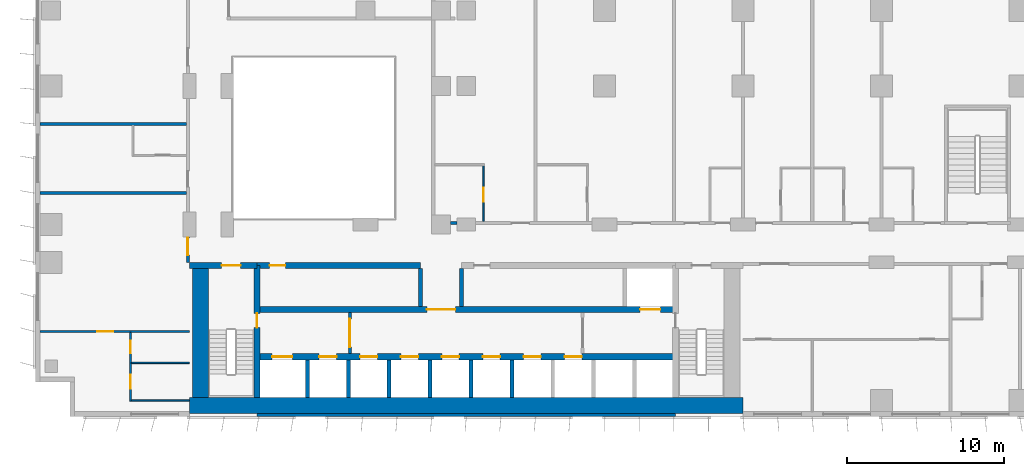
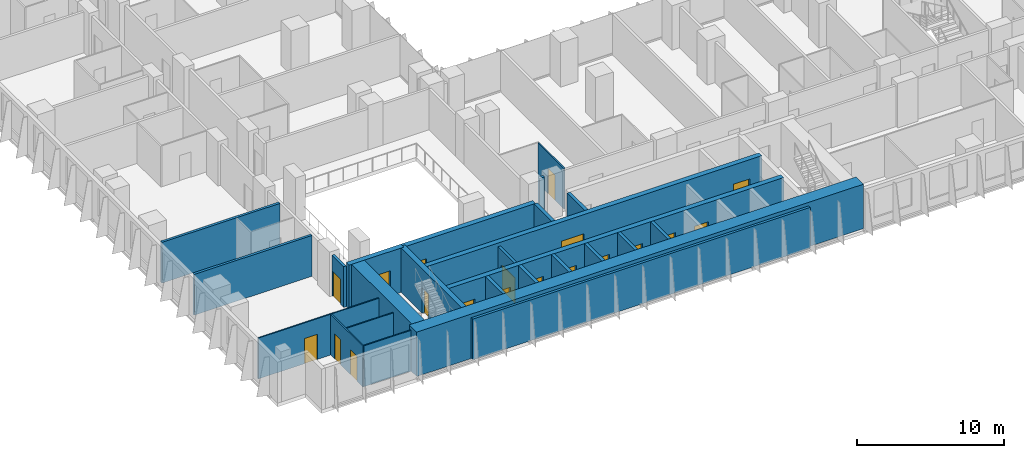
# One storey, part 12 of 24: 26 walls, 19 doors, 19 openings.
"""IFC4 building model written with IfcOpenShell, lengths in metres."""

from ifc_helpers import new_model, si_unit, direction, frame, frame_2d, origin, place, context, subcontext, project, spatial, rectangle, extrude, material, layer, layer_set, type_object, element, fill, save


model = new_model("IFC4")

# Units and contexts
model_context = context("Model", 3, precision=1e-05, world=origin(), true_north=direction((0.0, 1.0)))
body_context = subcontext(model_context, "Body", "Model", "MODEL_VIEW")
ifc_project = project(units=[si_unit("LENGTHUNIT", "METRE"), si_unit("AREAUNIT", "SQUARE_METRE"), si_unit("VOLUMEUNIT", "CUBIC_METRE"), si_unit("PLANEANGLEUNIT", "RADIAN"), si_unit("MASSUNIT", "GRAM", prefix="KILO")], contexts=[model_context])

# Site, building, storey
site_placement = place(None, origin())
site = spatial("IfcSite", under=ifc_project, at=site_placement, CompositionType="ELEMENT")
building_placement = place(site_placement, origin())
building = spatial("IfcBuilding", under=site, at=building_placement, Name="Kemantara Hotel Tower", CompositionType="ELEMENT")
storey_placement = place(building_placement, frame((0.0, 0.0, 48.800048828125)))
storey = spatial("IfcBuildingStorey", under=building, at=storey_placement, Name="L10", CompositionType="ELEMENT", Elevation=48.800048828125)

# Walls
ifc_material_1 = material(Name="Bronze anodised aluminium cladding on insulated steel stud wall", Category="steel")
ifc_layer_1 = layer(ifc_material_1, 0.199951171875)
ifc_layer_set_1 = layer_set([ifc_layer_1], Name="Bronze anodised aluminium cladding on insulated steel stud wall")
wall_type_1 = type_object("IfcWallType", Name="BRONZE METAL-CLAD EXTERNAL WALL 200", PredefinedType="STANDARD", material=ifc_layer_set_1)
wall_1_placement = place(storey_placement, frame((14.10009765625, 0.10009765625, 0.0), z_axis=(0.0, 0.0, 1.0), x_axis=(1.0, 0.0, 0.0)))
element("IfcWall", 1, at=wall_1_placement, inside=storey, type_object=wall_type_1, Name="EXTERNAL WALL L10 T1-R01-2", PredefinedType="STANDARD", context=body_context, shape_type="SweptSolid", body=[
    extrude(rectangle(XDim=26.599853515625, YDim=0.199951171875, at=frame_2d((13.2998046875, 0.0))), origin(), (0.0, 0.0, 1.0), 3.39990234375),
])
ifc_material_2 = material(Name="Concrete fc 70 MPa", Category="concrete")
ifc_layer_2 = layer(ifc_material_2, 1.0)
ifc_layer_set_2 = layer_set([ifc_layer_2], Name="Concrete fc 70 MPa")
wall_type_2 = type_object("IfcWallType", Name="CORE WALL 1000 FC70", PredefinedType="SHEAR", material=ifc_layer_set_2)
wall_2_placement = place(storey_placement, frame((9.800048828125, 0.699951171875, 0.0), z_axis=(0.0, 0.0, 1.0), x_axis=(1.0, 0.0, 0.0)))
element("IfcWall", 2, at=wall_2_placement, inside=storey, type_object=wall_type_2, Name="CORE WALL CW-S", PredefinedType="SHEAR", context=body_context, shape_type="SweptSolid", body=[
    extrude(rectangle(XDim=35.199951171875, YDim=1.0, at=frame_2d((17.60009765625, 0.0))), origin(), (0.0, 0.0, 1.0), 3.699951171875),
])
wall_3_placement = place(storey_placement, frame((10.5, 1.199951171875, 0.0), z_axis=(0.0, 0.0, 1.0), x_axis=(0.0, 1.0, 0.0)))
element("IfcWall", 3, at=wall_3_placement, inside=storey, type_object=wall_type_2, Name="CORE WALL CW-W", PredefinedType="SHEAR", context=body_context, shape_type="SweptSolid", body=[
    extrude(rectangle(XDim=8.60009765625, YDim=1.0, at=frame_2d((4.300048828125, 0.0))), origin(), (0.0, 0.0, 1.0), 3.699951171875),
])
ifc_layer_3 = layer(ifc_material_2, 0.25)
ifc_layer_set_3 = layer_set([ifc_layer_3], Name="Concrete fc 70 MPa")
wall_type_3 = type_object("IfcWallType", Name="CORE WALL 250 FC70", PredefinedType="SHEAR", material=ifc_layer_set_3)
for number, where, z_axis, x_axis, name in (
    (4, (17.300048828125, 1.199951171875, 0.0), (0.0, 0.0, 1.0), (0.0, 1.0, 0.0), "CORE WALL CW-DS17.3"),
    (5, (19.89990234375, 1.199951171875, 0.0), (0.0, 0.0, 1.0), (0.0, 1.0, 0.0), "CORE WALL CW-DS19.9"),
    (6, (22.5, 1.199951171875, 0.0), (0.0, 0.0, 1.0), (0.0, 1.0, 0.0), "CORE WALL CW-DS22.5"),
    (7, (25.10009765625, 1.199951171875, 0.0), (0.0, 0.0, 1.0), (0.0, 1.0, 0.0), "CORE WALL CW-DS25.1"),
    (8, (27.699951171875, 1.199951171875, 0.0), (0.0, 0.0, 1.0), (0.0, 1.0, 0.0), "CORE WALL CW-DS27.7"),
    (9, (30.300048828125, 1.199951171875, 0.0), (0.0, 0.0, 1.0), (0.0, 1.0, 0.0), "CORE WALL CW-DS30.3"),
):
    element("IfcWall", number, at=place(storey_placement, frame(where, z_axis=z_axis, x_axis=x_axis)), inside=storey, type_object=wall_type_3, Name=name, PredefinedType="SHEAR", context=body_context, shape_type="SweptSolid", body=[
        extrude(rectangle(XDim=2.400146484375, YDim=0.25, at=frame_2d((1.2001953125, 0.0))), origin(), (0.0, 0.0, 1.0), 3.699951171875),
    ])
for number, where, z_axis, x_axis, name in (
    (10, (24.5, 7.0, 0.0), (0.0, 0.0, 1.0), (0.0, 1.0, 0.0), "CORE WALL CW-DN24.5"),
    (11, (27.10009765625, 7.0, 0.0), (0.0, 0.0, 1.0), (0.0, 1.0, 0.0), "CORE WALL CW-DN27.1"),
):
    element("IfcWall", number, at=place(storey_placement, frame(where, z_axis=z_axis, x_axis=x_axis)), inside=storey, type_object=wall_type_3, Name=name, PredefinedType="SHEAR", context=body_context, shape_type="SweptSolid", body=[
        extrude(rectangle(XDim=2.39990234375, YDim=0.25, at=frame_2d((1.199951171875, 0.0))), origin(), (0.0, 0.0, 1.0), 3.699951171875),
    ])

# Wall, opening, door
ifc_layer_4 = layer(ifc_material_2, 0.39990234375)
ifc_layer_set_4 = layer_set([ifc_layer_4], Name="Concrete fc 70 MPa")
wall_type_4 = type_object("IfcWallType", Name="CORE WALL 400 FC70", PredefinedType="SHEAR", material=ifc_layer_set_4)
wall_4_placement = place(storey_placement, frame((9.800048828125, 9.60009765625, 0.0), z_axis=(0.0, 0.0, 1.0), x_axis=(1.0, 0.0, 0.0)))
wall_4 = element("IfcWall", 12, at=wall_4_placement, inside=storey, type_object=wall_type_4, Name="CORE WALL CW-N1", PredefinedType="SHEAR", context=body_context, shape_type="SweptSolid", body=[
    extrude(rectangle(XDim=4.300048828125, YDim=0.39990234375, at=frame_2d((2.14990234375, 0.0))), origin(), (0.0, 0.0, 1.0), 3.699951171875),
])
opening_1_placement = place(wall_4_placement, frame((2.050048828125, 0.0, 0.0)))
opening_1 = element("IfcOpeningElement", 13, at=opening_1_placement, cuts=wall_4, Name="Opening C09-ST1-C", PredefinedType="OPENING", context=body_context, shape_type="SweptSolid", body=[
    extrude(rectangle(XDim=1.199951171875, YDim=2.10009765625, at=frame_2d((0.60009765625, 1.050048828125))), frame((0.0, 0.2099609375, 0.0), z_axis=(0.0, -1.0, 0.0), x_axis=(1.0, 0.0, 0.0)), (0.0, 0.0, 1.0), 0.419921875),
])
ifc_material_3 = material(Name="Steel fire door", Category="steel")
door_type_1 = type_object("IfcDoorType", Name="Fire door FD90 1200 x 2100", OperationType="NOTDEFINED", PredefinedType="DOOR", material=ifc_material_3)
door_1_placement = place(opening_1_placement, frame((1.199951171875, 0.0, 0.0), z_axis=(0.0, 0.0, 1.0), x_axis=(-1.0, 0.0, 0.0)))
door_1 = element("IfcDoor", 14, at=door_1_placement, inside=storey, type_object=door_type_1, Name="Stair ST1 door to corridor", OperationType="SINGLE_SWING_LEFT", OverallHeight=2.10009765625, OverallWidth=1.199951171875, PredefinedType="DOOR", context=body_context, shape_type="SweptSolid", body=[
    extrude(rectangle(XDim=1.199951171875, YDim=2.10009765625, at=frame_2d((0.60009765625, 1.050048828125))), frame((0.0, 0.02490234375, 0.0), z_axis=(0.0, -1.0, 0.0), x_axis=(1.0, 0.0, 0.0)), (0.0, 0.0, 1.0), 0.050048828125),
])
fill(opening_1, door_1)

wall_5_placement = place(storey_placement, frame((14.10009765625, 9.60009765625, 0.0), z_axis=(0.0, 0.0, 1.0), x_axis=(1.0, 0.0, 0.0)))
wall_5 = element("IfcWall", 15, at=wall_5_placement, inside=storey, type_object=wall_type_4, Name="CORE WALL CW-NN1", PredefinedType="SHEAR", context=body_context, shape_type="SweptSolid", body=[
    extrude(rectangle(XDim=10.39990234375, YDim=0.39990234375, at=frame_2d((5.199951171875, 0.0))), origin(), (0.0, 0.0, 1.0), 3.699951171875),
])
opening_2_placement = place(wall_5_placement, frame((0.800048828125, 0.0, 0.0)))
opening_2 = element("IfcOpeningElement", 16, at=opening_2_placement, cuts=wall_5, Name="Opening C09-R-NW1", PredefinedType="OPENING", context=body_context, shape_type="SweptSolid", body=[
    extrude(rectangle(XDim=1.0, YDim=2.10009765625, at=frame_2d((0.5, 1.050048828125))), frame((0.0, 0.2099609375, 0.0), z_axis=(0.0, -1.0, 0.0), x_axis=(1.0, 0.0, 0.0)), (0.0, 0.0, 1.0), 0.419921875),
])
door_type_2 = type_object("IfcDoorType", Name="Fire door FD30S 1000 x 2100", OperationType="NOTDEFINED", PredefinedType="DOOR", material=ifc_material_3)
door_2_placement = place(opening_2_placement, frame((1.0, 0.0, 0.0), z_axis=(0.0, 0.0, 1.0), x_axis=(-1.0, 0.0, 0.0)))
door_2 = element("IfcDoor", 17, at=door_2_placement, inside=storey, type_object=door_type_2, Name="Housekeeping Store door", OperationType="SINGLE_SWING_RIGHT", OverallHeight=2.10009765625, OverallWidth=1.0, PredefinedType="DOOR", context=body_context, shape_type="SweptSolid", body=[
    extrude(rectangle(XDim=1.0, YDim=2.10009765625, at=frame_2d((0.5, 1.050048828125))), frame((0.0, 0.02490234375, 0.0), z_axis=(0.0, -1.0, 0.0), x_axis=(1.0, 0.0, 0.0)), (0.0, 0.0, 1.0), 0.050048828125),
])
fill(opening_2, door_2)

# Wall, openings, doors
wall_6_placement = place(storey_placement, frame((14.10009765625, 3.800048828125, 0.0), z_axis=(0.0, 0.0, 1.0), x_axis=(1.0, 0.0, 0.0)))
wall_6 = element("IfcWall", 18, at=wall_6_placement, inside=storey, type_object=wall_type_4, Name="CORE WALL CW-L1", PredefinedType="SHEAR", context=body_context, shape_type="SweptSolid", body=[
    extrude(rectangle(XDim=26.599853515625, YDim=0.39990234375, at=frame_2d((13.2998046875, 0.0))), origin(), (0.0, 0.0, 1.0), 3.699951171875),
])
opening_3_placement = place(wall_6_placement, frame((0.949951171875, 0.0, 0.0)))
opening_3 = element("IfcOpeningElement", 19, at=opening_3_placement, cuts=wall_6, Name="Opening C09-LD-FF1", PredefinedType="OPENING", context=body_context, shape_type="SweptSolid", body=[
    extrude(rectangle(XDim=1.300048828125, YDim=2.10009765625, at=frame_2d((0.64990234375, 1.050048828125))), frame((0.0, 0.2099609375, 0.0), z_axis=(0.0, -1.0, 0.0), x_axis=(1.0, 0.0, 0.0)), (0.0, 0.0, 1.0), 0.419921875),
])
opening_4_placement = place(wall_6_placement, frame((3.949951171875, 0.0, 0.0)))
opening_4 = element("IfcOpeningElement", 20, at=opening_4_placement, cuts=wall_6, Name="Opening C09-LD-SV1", PredefinedType="OPENING", context=body_context, shape_type="SweptSolid", body=[
    extrude(rectangle(XDim=1.10009765625, YDim=2.10009765625, at=frame_2d((0.550048828125, 1.050048828125))), frame((0.0, 0.2099609375, 0.0), z_axis=(0.0, -1.0, 0.0), x_axis=(1.0, 0.0, 0.0)), (0.0, 0.0, 1.0), 0.419921875),
])
opening_5_placement = place(wall_6_placement, frame((6.550048828125, 0.0, 0.0)))
opening_5 = element("IfcOpeningElement", 21, at=opening_5_placement, cuts=wall_6, Name="Opening C09-LD-SV2", PredefinedType="OPENING", context=body_context, shape_type="SweptSolid", body=[
    extrude(rectangle(XDim=1.10009765625, YDim=2.10009765625, at=frame_2d((0.550048828125, 1.050048828125))), frame((0.0, 0.2099609375, 0.0), z_axis=(0.0, -1.0, 0.0), x_axis=(1.0, 0.0, 0.0)), (0.0, 0.0, 1.0), 0.419921875),
])
opening_6_placement = place(wall_6_placement, frame((9.14990234375, 0.0, 0.0)))
opening_6 = element("IfcOpeningElement", 22, at=opening_6_placement, cuts=wall_6, Name="Opening C09-LD-SV3", PredefinedType="OPENING", context=body_context, shape_type="SweptSolid", body=[
    extrude(rectangle(XDim=1.10009765625, YDim=2.10009765625, at=frame_2d((0.550048828125, 1.050048828125))), frame((0.0, 0.2099609375, 0.0), z_axis=(0.0, -1.0, 0.0), x_axis=(1.0, 0.0, 0.0)), (0.0, 0.0, 1.0), 0.419921875),
])
opening_7_placement = place(wall_6_placement, frame((11.75, 0.0, 0.0)))
opening_7 = element("IfcOpeningElement", 23, at=opening_7_placement, cuts=wall_6, Name="Opening C09-LD-LR1", PredefinedType="OPENING", context=body_context, shape_type="SweptSolid", body=[
    extrude(rectangle(XDim=1.10009765625, YDim=2.10009765625, at=frame_2d((0.550048828125, 1.050048828125))), frame((0.0, 0.2099609375, 0.0), z_axis=(0.0, -1.0, 0.0), x_axis=(1.0, 0.0, 0.0)), (0.0, 0.0, 1.0), 0.419921875),
])
opening_8_placement = place(wall_6_placement, frame((14.35009765625, 0.0, 0.0)))
opening_8 = element("IfcOpeningElement", 24, at=opening_8_placement, cuts=wall_6, Name="Opening C09-LD-LR2", PredefinedType="OPENING", context=body_context, shape_type="SweptSolid", body=[
    extrude(rectangle(XDim=1.10009765625, YDim=2.10009765625, at=frame_2d((0.550048828125, 1.050048828125))), frame((0.0, 0.2099609375, 0.0), z_axis=(0.0, -1.0, 0.0), x_axis=(1.0, 0.0, 0.0)), (0.0, 0.0, 1.0), 0.419921875),
])
opening_9_placement = place(wall_6_placement, frame((16.949951171875, 0.0, 0.0)))
opening_9 = element("IfcOpeningElement", 25, at=opening_9_placement, cuts=wall_6, Name="Opening C09-LD-LR3", PredefinedType="OPENING", context=body_context, shape_type="SweptSolid", body=[
    extrude(rectangle(XDim=1.10009765625, YDim=2.10009765625, at=frame_2d((0.550048828125, 1.050048828125))), frame((0.0, 0.2099609375, 0.0), z_axis=(0.0, -1.0, 0.0), x_axis=(1.0, 0.0, 0.0)), (0.0, 0.0, 1.0), 0.419921875),
])
opening_10_placement = place(wall_6_placement, frame((19.550048828125, 0.0, 0.0)))
opening_10 = element("IfcOpeningElement", 26, at=opening_10_placement, cuts=wall_6, Name="Opening C09-LD-LR4", PredefinedType="OPENING", context=body_context, shape_type="SweptSolid", body=[
    extrude(rectangle(XDim=1.10009765625, YDim=2.10009765625, at=frame_2d((0.550048828125, 1.050048828125))), frame((0.0, 0.2099609375, 0.0), z_axis=(0.0, -1.0, 0.0), x_axis=(1.0, 0.0, 0.0)), (0.0, 0.0, 1.0), 0.419921875),
])
ifc_material_4 = material(Name="Stainless steel lift door", Category="steel")
door_type_3 = type_object("IfcDoorType", Name="Lift landing door 1100 x 2100 FD60", OperationType="DOUBLE_DOOR_SLIDING", PredefinedType="DOOR", material=ifc_material_4)
door_3_placement = place(opening_4_placement, origin())
door_3 = element("IfcDoor", 27, at=door_3_placement, inside=storey, type_object=door_type_3, Name="Lift SV1 landing door", OperationType="DOUBLE_DOOR_SLIDING", OverallHeight=2.10009765625, OverallWidth=1.10009765625, PredefinedType="DOOR", context=body_context, shape_type="SweptSolid", body=[
    extrude(rectangle(XDim=1.10009765625, YDim=2.10009765625, at=frame_2d((0.550048828125, 1.050048828125))), frame((0.0, 0.02490234375, 0.0), z_axis=(0.0, -1.0, 0.0), x_axis=(1.0, 0.0, 0.0)), (0.0, 0.0, 1.0), 0.050048828125),
])
fill(opening_4, door_3)
door_4_placement = place(opening_5_placement, origin())
door_4 = element("IfcDoor", 28, at=door_4_placement, inside=storey, type_object=door_type_3, Name="Lift SV2 landing door", OperationType="DOUBLE_DOOR_SLIDING", OverallHeight=2.10009765625, OverallWidth=1.10009765625, PredefinedType="DOOR", context=body_context, shape_type="SweptSolid", body=[
    extrude(rectangle(XDim=1.10009765625, YDim=2.10009765625, at=frame_2d((0.550048828125, 1.050048828125))), frame((0.0, 0.02490234375, 0.0), z_axis=(0.0, -1.0, 0.0), x_axis=(1.0, 0.0, 0.0)), (0.0, 0.0, 1.0), 0.050048828125),
])
fill(opening_5, door_4)
door_5_placement = place(opening_6_placement, origin())
door_5 = element("IfcDoor", 29, at=door_5_placement, inside=storey, type_object=door_type_3, Name="Lift SV3 landing door", OperationType="DOUBLE_DOOR_SLIDING", OverallHeight=2.10009765625, OverallWidth=1.10009765625, PredefinedType="DOOR", context=body_context, shape_type="SweptSolid", body=[
    extrude(rectangle(XDim=1.10009765625, YDim=2.10009765625, at=frame_2d((0.550048828125, 1.050048828125))), frame((0.0, 0.02490234375, 0.0), z_axis=(0.0, -1.0, 0.0), x_axis=(1.0, 0.0, 0.0)), (0.0, 0.0, 1.0), 0.050048828125),
])
fill(opening_6, door_5)
door_6_placement = place(opening_7_placement, origin())
door_6 = element("IfcDoor", 30, at=door_6_placement, inside=storey, type_object=door_type_3, Name="Lift LR1 landing door", OperationType="DOUBLE_DOOR_SLIDING", OverallHeight=2.10009765625, OverallWidth=1.10009765625, PredefinedType="DOOR", context=body_context, shape_type="SweptSolid", body=[
    extrude(rectangle(XDim=1.10009765625, YDim=2.10009765625, at=frame_2d((0.550048828125, 1.050048828125))), frame((0.0, 0.02490234375, 0.0), z_axis=(0.0, -1.0, 0.0), x_axis=(1.0, 0.0, 0.0)), (0.0, 0.0, 1.0), 0.050048828125),
])
fill(opening_7, door_6)
door_7_placement = place(opening_8_placement, origin())
door_7 = element("IfcDoor", 31, at=door_7_placement, inside=storey, type_object=door_type_3, Name="Lift LR2 landing door", OperationType="DOUBLE_DOOR_SLIDING", OverallHeight=2.10009765625, OverallWidth=1.10009765625, PredefinedType="DOOR", context=body_context, shape_type="SweptSolid", body=[
    extrude(rectangle(XDim=1.10009765625, YDim=2.10009765625, at=frame_2d((0.550048828125, 1.050048828125))), frame((0.0, 0.02490234375, 0.0), z_axis=(0.0, -1.0, 0.0), x_axis=(1.0, 0.0, 0.0)), (0.0, 0.0, 1.0), 0.050048828125),
])
fill(opening_8, door_7)
door_8_placement = place(opening_9_placement, origin())
door_8 = element("IfcDoor", 32, at=door_8_placement, inside=storey, type_object=door_type_3, Name="Lift LR3 landing door", OperationType="DOUBLE_DOOR_SLIDING", OverallHeight=2.10009765625, OverallWidth=1.10009765625, PredefinedType="DOOR", context=body_context, shape_type="SweptSolid", body=[
    extrude(rectangle(XDim=1.10009765625, YDim=2.10009765625, at=frame_2d((0.550048828125, 1.050048828125))), frame((0.0, 0.02490234375, 0.0), z_axis=(0.0, -1.0, 0.0), x_axis=(1.0, 0.0, 0.0)), (0.0, 0.0, 1.0), 0.050048828125),
])
fill(opening_9, door_8)
door_9_placement = place(opening_10_placement, origin())
door_9 = element("IfcDoor", 33, at=door_9_placement, inside=storey, type_object=door_type_3, Name="Lift LR4 landing door", OperationType="DOUBLE_DOOR_SLIDING", OverallHeight=2.10009765625, OverallWidth=1.10009765625, PredefinedType="DOOR", context=body_context, shape_type="SweptSolid", body=[
    extrude(rectangle(XDim=1.10009765625, YDim=2.10009765625, at=frame_2d((0.550048828125, 1.050048828125))), frame((0.0, 0.02490234375, 0.0), z_axis=(0.0, -1.0, 0.0), x_axis=(1.0, 0.0, 0.0)), (0.0, 0.0, 1.0), 0.050048828125),
])
fill(opening_10, door_9)
door_type_4 = type_object("IfcDoorType", Name="Lift landing door 1300 x 2100 FD90", OperationType="DOUBLE_DOOR_SLIDING", PredefinedType="DOOR", material=ifc_material_4)
door_10_placement = place(opening_3_placement, origin())
door_10 = element("IfcDoor", 34, at=door_10_placement, inside=storey, type_object=door_type_4, Name="Lift FF1 landing door", OperationType="DOUBLE_DOOR_SLIDING", OverallHeight=2.10009765625, OverallWidth=1.300048828125, PredefinedType="DOOR", context=body_context, shape_type="SweptSolid", body=[
    extrude(rectangle(XDim=1.300048828125, YDim=2.10009765625, at=frame_2d((0.64990234375, 1.050048828125))), frame((0.0, 0.02490234375, 0.0), z_axis=(0.0, -1.0, 0.0), x_axis=(1.0, 0.0, 0.0)), (0.0, 0.0, 1.0), 0.050048828125),
])
fill(opening_3, door_10)

wall_7_placement = place(storey_placement, frame((14.10009765625, 6.800048828125, 0.0), z_axis=(0.0, 0.0, 1.0), x_axis=(1.0, 0.0, 0.0)))
wall_7 = element("IfcWall", 35, at=wall_7_placement, inside=storey, type_object=wall_type_4, Name="CORE WALL CW-L2", PredefinedType="SHEAR", context=body_context, shape_type="SweptSolid", body=[
    extrude(rectangle(XDim=26.599853515625, YDim=0.39990234375, at=frame_2d((13.2998046875, 0.0))), origin(), (0.0, 0.0, 1.0), 3.699951171875),
])
opening_11_placement = place(wall_7_placement, frame((10.800048828125, 0.0, 0.0)))
opening_11 = element("IfcOpeningElement", 36, at=opening_11_placement, cuts=wall_7, Name="Opening C09-VL", PredefinedType="OPENING", context=body_context, shape_type="SweptSolid", body=[
    extrude(rectangle(XDim=1.800048828125, YDim=2.10009765625, at=frame_2d((0.89990234375, 1.050048828125))), frame((0.0, 0.2099609375, 0.0), z_axis=(0.0, -1.0, 0.0), x_axis=(1.0, 0.0, 0.0)), (0.0, 0.0, 1.0), 0.419921875),
])
opening_12_placement = place(wall_7_placement, frame((24.35009765625, 0.0, 0.0)))
opening_12 = element("IfcOpeningElement", 37, at=opening_12_placement, cuts=wall_7, Name="Opening C09-LD-FF2", PredefinedType="OPENING", context=body_context, shape_type="SweptSolid", body=[
    extrude(rectangle(XDim=1.300048828125, YDim=2.10009765625, at=frame_2d((0.64990234375, 1.050048828125))), frame((0.0, 0.2099609375, 0.0), z_axis=(0.0, -1.0, 0.0), x_axis=(1.0, 0.0, 0.0)), (0.0, 0.0, 1.0), 0.419921875),
])
door_type_5 = type_object("IfcDoorType", Name="Fire door pair FD60 1800 x 2100", OperationType="DOUBLE_DOOR_SINGLE_SWING", PredefinedType="DOOR", material=ifc_material_3)
door_11_placement = place(opening_11_placement, frame((1.800048828125, 0.0, 0.0), z_axis=(0.0, 0.0, 1.0), x_axis=(-1.0, 0.0, 0.0)))
door_11 = element("IfcDoor", 38, at=door_11_placement, inside=storey, type_object=door_type_5, Name="Lift lobby entry door", OperationType="DOUBLE_DOOR_SINGLE_SWING", OverallHeight=2.10009765625, OverallWidth=1.800048828125, PredefinedType="DOOR", context=body_context, shape_type="SweptSolid", body=[
    extrude(rectangle(XDim=1.800048828125, YDim=2.10009765625, at=frame_2d((0.89990234375, 1.050048828125))), frame((0.0, 0.02490234375, 0.0), z_axis=(0.0, -1.0, 0.0), x_axis=(1.0, 0.0, 0.0)), (0.0, 0.0, 1.0), 0.050048828125),
])
fill(opening_11, door_11)
door_12_placement = place(opening_12_placement, origin())
door_12 = element("IfcDoor", 39, at=door_12_placement, inside=storey, type_object=door_type_4, Name="Lift FF2 landing door", OperationType="DOUBLE_DOOR_SLIDING", OverallHeight=2.10009765625, OverallWidth=1.300048828125, PredefinedType="DOOR", context=body_context, shape_type="SweptSolid", body=[
    extrude(rectangle(XDim=1.300048828125, YDim=2.10009765625, at=frame_2d((0.64990234375, 1.050048828125))), frame((0.0, 0.02490234375, 0.0), z_axis=(0.0, -1.0, 0.0), x_axis=(1.0, 0.0, 0.0)), (0.0, 0.0, 1.0), 0.050048828125),
])
fill(opening_12, door_12)

# Wall, opening, door
wall_8_placement = place(storey_placement, frame((14.10009765625, 1.199951171875, 0.0), z_axis=(0.0, 0.0, 1.0), x_axis=(0.0, 1.0, 0.0)))
wall_8 = element("IfcWall", 40, at=wall_8_placement, inside=storey, type_object=wall_type_4, Name="CORE WALL CW-ST1E", PredefinedType="SHEAR", context=body_context, shape_type="SweptSolid", body=[
    extrude(rectangle(XDim=8.400146484375, YDim=0.39990234375, at=frame_2d((4.2001953125, 0.0))), origin(), (0.0, 0.0, 1.0), 3.699951171875),
])
opening_13_placement = place(wall_8_placement, frame((4.449951171875, 0.0, 0.0)))
opening_13 = element("IfcOpeningElement", 41, at=opening_13_placement, cuts=wall_8, Name="Opening C09-ST1-F", PredefinedType="OPENING", context=body_context, shape_type="SweptSolid", body=[
    extrude(rectangle(XDim=0.89990234375, YDim=2.10009765625, at=frame_2d((0.449951171875, 1.050048828125))), frame((0.0, 0.2099609375, 0.0), z_axis=(0.0, -1.0, 0.0), x_axis=(1.0, 0.0, 0.0)), (0.0, 0.0, 1.0), 0.419921875),
])
door_type_6 = type_object("IfcDoorType", Name="Fire door FD90 900 x 2100", OperationType="NOTDEFINED", PredefinedType="DOOR", material=ifc_material_3)
door_13_placement = place(opening_13_placement, origin())
door_13 = element("IfcDoor", 42, at=door_13_placement, inside=storey, type_object=door_type_6, Name="Stair ST1 door to firefighting lobby", OperationType="SINGLE_SWING_RIGHT", OverallHeight=2.10009765625, OverallWidth=0.89990234375, PredefinedType="DOOR", context=body_context, shape_type="SweptSolid", body=[
    extrude(rectangle(XDim=0.89990234375, YDim=2.10009765625, at=frame_2d((0.449951171875, 1.050048828125))), frame((0.0, 0.02490234375, 0.0), z_axis=(0.0, -1.0, 0.0), x_axis=(1.0, 0.0, 0.0)), (0.0, 0.0, 1.0), 0.050048828125),
])
fill(opening_13, door_13)

# Wall
ifc_material_5 = material(Name="Gypsum board partition, steel studs and mineral wool, 200 mm", Category="steel")
ifc_layer_5 = layer(ifc_material_5, 0.199951171875)
ifc_layer_set_5 = layer_set([ifc_layer_5], Name="Gypsum board partition, steel studs and mineral wool, 200 mm")
wall_type_5 = type_object("IfcWallType", Name="CORRIDOR WALL 200", PredefinedType="PARTITIONING", material=ifc_layer_set_5)
wall_9_placement = place(storey_placement, frame((26.400146484375, 12.300048828125, 0.0), z_axis=(0.0, 0.0, 1.0), x_axis=(1.0, 0.0, 0.0)))
element("IfcWall", 43, at=wall_9_placement, inside=storey, type_object=wall_type_5, Name="CORRIDOR WALL 200 010", PredefinedType="PARTITIONING", context=body_context, shape_type="SweptSolid", body=[
    extrude(rectangle(XDim=0.399658203125, YDim=0.199951171875, at=frame_2d((0.19970703125, 0.0))), origin(), (0.0, 0.0, 1.0), 3.39990234375),
])

# Wall, opening, door
wall_10_placement = place(storey_placement, frame((9.699951171875, 9.800048828125, 0.0), z_axis=(0.0, 0.0, 1.0), x_axis=(0.0, 1.0, 0.0)))
wall_10 = element("IfcWall", 44, at=wall_10_placement, inside=storey, type_object=wall_type_5, Name="CORRIDOR WALL 200 027", PredefinedType="PARTITIONING", context=body_context, shape_type="SweptSolid", body=[
    extrude(rectangle(XDim=1.599853515625, YDim=0.199951171875, at=frame_2d((0.7998046875, 0.0))), origin(), (0.0, 0.0, 1.0), 3.39990234375),
])
opening_14_placement = place(wall_10_placement, frame((0.449951171875, 0.0, 0.0)))
opening_14 = element("IfcOpeningElement", 45, at=opening_14_placement, cuts=wall_10, Name="Opening F03-030", PredefinedType="OPENING", context=body_context, shape_type="SweptSolid", body=[
    extrude(rectangle(XDim=1.10009765625, YDim=2.10009765625, at=frame_2d((0.550048828125, 1.050048828125))), frame((0.0, 0.10986328125, 0.0), z_axis=(0.0, -1.0, 0.0), x_axis=(1.0, 0.0, 0.0)), (0.0, 0.0, 1.0), 0.219970703125),
])
ifc_material_6 = material(Name="Hardwood veneer door leaf with steel frame", Category="steel")
door_type_7 = type_object("IfcDoorType", Name="SUITE ENTRANCE DOOR 1100 X 2100 FD30S", OperationType="NOTDEFINED", PredefinedType="DOOR", material=ifc_material_6)
door_14_placement = place(opening_14_placement, origin())
door_14 = element("IfcDoor", 46, at=door_14_placement, inside=storey, type_object=door_type_7, Name="SUITE ENTRANCE DOOR F03-030", OperationType="SINGLE_SWING_RIGHT", OverallHeight=2.10009765625, OverallWidth=1.10009765625, PredefinedType="DOOR", context=body_context, shape_type="SweptSolid", body=[
    extrude(rectangle(XDim=1.10009765625, YDim=2.10009765625, at=frame_2d((0.550048828125, 1.050048828125))), frame((0.0, 0.02490234375, 0.0), z_axis=(0.0, -1.0, 0.0), x_axis=(1.0, 0.0, 0.0)), (0.0, 0.0, 1.0), 0.050048828125),
])
fill(opening_14, door_14)

# Walls
ifc_layer_6 = layer(ifc_material_5, 0.199951171875)
ifc_layer_set_6 = layer_set([ifc_layer_6], Name="Gypsum board partition, steel studs and mineral wool, 200 mm")
wall_type_6 = type_object("IfcWallType", Name="GUEST ROOM PARTY WALL 200", PredefinedType="PARTITIONING", material=ifc_layer_set_6)
for number, where, z_axis, x_axis, name in (
    (47, (0.31005859375, 14.199951171875, 0.0), (0.0, 0.0, 1.0), (1.0, 0.0, 0.0), "GUEST ROOM PARTY WALL 200 036"),
    (48, (0.31005859375, 18.60009765625, 0.0), (0.0, 0.0, 1.0), (1.0, 0.0, 0.0), "GUEST ROOM PARTY WALL 200 037"),
):
    element("IfcWall", number, at=place(storey_placement, frame(where, z_axis=z_axis, x_axis=x_axis)), inside=storey, type_object=wall_type_6, Name=name, PredefinedType="PARTITIONING", context=body_context, shape_type="SweptSolid", body=[
        extrude(rectangle(XDim=9.2900390625, YDim=0.199951171875, at=frame_2d((4.64501953125, 0.0))), origin(), (0.0, 0.0, 1.0), 3.39990234375),
    ])

# Wall, opening, door
ifc_material_7 = material(Name="Gypsum board shaft wall")
ifc_layer_7 = layer(ifc_material_7, 0.199951171875)
ifc_layer_set_7 = layer_set([ifc_layer_7], Name="Gypsum board shaft wall")
wall_type_7 = type_object("IfcWallType", Name="Gypsum board shaft wall 200 mm", PredefinedType="PARTITIONING", material=ifc_layer_set_7)
wall_11_placement = place(storey_placement, frame((20.0, 4.0, 0.0), z_axis=(0.0, 0.0, 1.0), x_axis=(0.0, 1.0, 0.0)))
wall_11 = element("IfcWall", 49, at=wall_11_placement, inside=storey, type_object=wall_type_7, Name="Firefighting lobby partition west", PredefinedType="PARTITIONING", context=body_context, shape_type="SweptSolid", body=[
    extrude(rectangle(XDim=2.60009765625, YDim=0.199951171875, at=frame_2d((1.300048828125, 0.0))), origin(), (0.0, 0.0, 1.0), 3.39990234375),
])
opening_15_placement = place(wall_11_placement, frame((0.39990234375, 0.0, 0.0)))
opening_15 = element("IfcOpeningElement", 50, at=opening_15_placement, cuts=wall_11, Name="Opening C09-FFW", PredefinedType="OPENING", context=body_context, shape_type="SweptSolid", body=[
    extrude(rectangle(XDim=1.800048828125, YDim=2.10009765625, at=frame_2d((0.89990234375, 1.050048828125))), frame((0.0, 0.10986328125, 0.0), z_axis=(0.0, -1.0, 0.0), x_axis=(1.0, 0.0, 0.0)), (0.0, 0.0, 1.0), 0.219970703125),
])
door_15_placement = place(opening_15_placement, origin())
door_15 = element("IfcDoor", 51, at=door_15_placement, inside=storey, type_object=door_type_5, Name="Firefighting lobby door west", OperationType="DOUBLE_DOOR_SINGLE_SWING", OverallHeight=2.10009765625, OverallWidth=1.800048828125, PredefinedType="DOOR", context=body_context, shape_type="SweptSolid", body=[
    extrude(rectangle(XDim=1.800048828125, YDim=2.10009765625, at=frame_2d((0.89990234375, 1.050048828125))), frame((0.0, 0.02490234375, 0.0), z_axis=(0.0, -1.0, 0.0), x_axis=(1.0, 0.0, 0.0)), (0.0, 0.0, 1.0), 0.050048828125),
])
fill(opening_15, door_15)

ifc_material_8 = material(Name="Gypsum board partition on steel studs, 100 mm", Category="steel")
ifc_layer_8 = layer(ifc_material_8, 0.10009765625)
ifc_layer_set_8 = layer_set([ifc_layer_8], Name="Gypsum board partition on steel studs, 100 mm")
wall_type_8 = type_object("IfcWallType", Name="ROOM PARTITION 100", PredefinedType="PARTITIONING", material=ifc_layer_set_8)
wall_12_placement = place(storey_placement, frame((28.5, 12.39990234375, 0.0), z_axis=(0.0, 0.0, 1.0), x_axis=(0.0, 1.0, 0.0)))
wall_12 = element("IfcWall", 52, at=wall_12_placement, inside=storey, type_object=wall_type_8, Name="ROOM PARTITION 100 077", PredefinedType="PARTITIONING", context=body_context, shape_type="SweptSolid", body=[
    extrude(rectangle(XDim=3.550048828125, YDim=0.10009765625, at=frame_2d((1.77490234375, 0.0))), origin(), (0.0, 0.0, 1.0), 3.39990234375),
])
opening_16_placement = place(wall_12_placement, frame((1.25, 0.0, 0.0)))
opening_16 = element("IfcOpeningElement", 53, at=opening_16_placement, cuts=wall_12, Name="Opening F03-013", PredefinedType="OPENING", context=body_context, shape_type="SweptSolid", body=[
    extrude(rectangle(XDim=0.89990234375, YDim=2.10009765625, at=frame_2d((0.449951171875, 1.050048828125))), frame((0.0, 0.06005859375, 0.0), z_axis=(0.0, -1.0, 0.0), x_axis=(1.0, 0.0, 0.0)), (0.0, 0.0, 1.0), 0.1201171875),
])
door_type_8 = type_object("IfcDoorType", Name="BATHROOM DOOR 900 X 2100", OperationType="NOTDEFINED", PredefinedType="DOOR", material=ifc_material_6)
door_16_placement = place(opening_16_placement, origin())
door_16 = element("IfcDoor", 54, at=door_16_placement, inside=storey, type_object=door_type_8, Name="BATHROOM DOOR F03-013", OperationType="SINGLE_SWING_LEFT", OverallHeight=2.10009765625, OverallWidth=0.89990234375, PredefinedType="DOOR", context=body_context, shape_type="SweptSolid", body=[
    extrude(rectangle(XDim=0.89990234375, YDim=2.10009765625, at=frame_2d((0.449951171875, 1.050048828125))), frame((0.0, 0.02490234375, 0.0), z_axis=(0.0, -1.0, 0.0), x_axis=(1.0, 0.0, 0.0)), (0.0, 0.0, 1.0), 0.050048828125),
])
fill(opening_16, door_16)

# Wall, openings, doors
wall_13_placement = place(storey_placement, frame((6.050048828125, 5.35009765625, 0.0), z_axis=(0.0, 0.0, 1.0), x_axis=(0.0, -1.0, 0.0)))
wall_13 = element("IfcWall", 55, at=wall_13_placement, inside=storey, type_object=wall_type_8, Name="ROOM PARTITION 100 091", PredefinedType="PARTITIONING", context=body_context, shape_type="SweptSolid", body=[
    extrude(rectangle(XDim=4.400146484375, YDim=0.10009765625, at=frame_2d((2.2001953125, 0.0))), origin(), (0.0, 0.0, 1.0), 3.39990234375),
])
opening_17_placement = place(wall_13_placement, frame((2.699951171875, 0.0, 0.0)))
opening_17 = element("IfcOpeningElement", 56, at=opening_17_placement, cuts=wall_13, Name="Opening F03-032", PredefinedType="OPENING", context=body_context, shape_type="SweptSolid", body=[
    extrude(rectangle(XDim=0.89990234375, YDim=2.10009765625, at=frame_2d((0.449951171875, 1.050048828125))), frame((0.0, 0.06005859375, 0.0), z_axis=(0.0, -1.0, 0.0), x_axis=(1.0, 0.0, 0.0)), (0.0, 0.0, 1.0), 0.1201171875),
])
opening_18_placement = place(wall_13_placement, frame((0.550048828125, 0.0, 0.0)))
opening_18 = element("IfcOpeningElement", 57, at=opening_18_placement, cuts=wall_13, Name="Opening F03-033", PredefinedType="OPENING", context=body_context, shape_type="SweptSolid", body=[
    extrude(rectangle(XDim=0.800048828125, YDim=2.10009765625, at=frame_2d((0.39990234375, 1.050048828125))), frame((0.0, 0.06005859375, 0.0), z_axis=(0.0, -1.0, 0.0), x_axis=(1.0, 0.0, 0.0)), (0.0, 0.0, 1.0), 0.1201171875),
])
door_17_placement = place(opening_17_placement, origin())
door_17 = element("IfcDoor", 58, at=door_17_placement, inside=storey, type_object=door_type_8, Name="BATHROOM DOOR F03-032", OperationType="SINGLE_SWING_LEFT", OverallHeight=2.10009765625, OverallWidth=0.89990234375, PredefinedType="DOOR", context=body_context, shape_type="SweptSolid", body=[
    extrude(rectangle(XDim=0.89990234375, YDim=2.10009765625, at=frame_2d((0.449951171875, 1.050048828125))), frame((0.0, 0.02490234375, 0.0), z_axis=(0.0, -1.0, 0.0), x_axis=(1.0, 0.0, 0.0)), (0.0, 0.0, 1.0), 0.050048828125),
])
fill(opening_17, door_17)
door_type_9 = type_object("IfcDoorType", Name="WARDROBE DOOR 800 X 2100", OperationType="NOTDEFINED", PredefinedType="DOOR", material=ifc_material_6)
door_18_placement = place(opening_18_placement, origin())
door_18 = element("IfcDoor", 59, at=door_18_placement, inside=storey, type_object=door_type_9, Name="WARDROBE DOOR F03-033", OperationType="SINGLE_SWING_LEFT", OverallHeight=2.10009765625, OverallWidth=0.800048828125, PredefinedType="DOOR", context=body_context, shape_type="SweptSolid", body=[
    extrude(rectangle(XDim=0.800048828125, YDim=2.10009765625, at=frame_2d((0.39990234375, 1.050048828125))), frame((0.0, 0.02490234375, 0.0), z_axis=(0.0, -1.0, 0.0), x_axis=(1.0, 0.0, 0.0)), (0.0, 0.0, 1.0), 0.050048828125),
])
fill(opening_18, door_18)

# Wall, opening, door
wall_14_placement = place(storey_placement, frame((9.7998046875, 5.39990234375, 0.0), z_axis=(0.0, 0.0, 1.0), x_axis=(-1.0, 0.0, 0.0)))
wall_14 = element("IfcWall", 60, at=wall_14_placement, inside=storey, type_object=wall_type_8, Name="ROOM PARTITION 100 093", PredefinedType="PARTITIONING", context=body_context, shape_type="SweptSolid", body=[
    extrude(rectangle(XDim=9.48974609375, YDim=0.10009765625, at=frame_2d((4.744873046875, 0.0))), origin(), (0.0, 0.0, 1.0), 3.39990234375),
])
opening_19_placement = place(wall_14_placement, frame((4.849853515625, 0.0, 0.0)))
opening_19 = element("IfcOpeningElement", 61, at=opening_19_placement, cuts=wall_14, Name="Opening F03-031", PredefinedType="OPENING", context=body_context, shape_type="SweptSolid", body=[
    extrude(rectangle(XDim=1.0, YDim=2.10009765625, at=frame_2d((0.5, 1.050048828125))), frame((0.0, 0.06005859375, 0.0), z_axis=(0.0, -1.0, 0.0), x_axis=(1.0, 0.0, 0.0)), (0.0, 0.0, 1.0), 0.1201171875),
])
door_type_10 = type_object("IfcDoorType", Name="INTERNAL DOOR 1000 X 2100", OperationType="NOTDEFINED", PredefinedType="DOOR", material=ifc_material_6)
door_19_placement = place(opening_19_placement, origin())
door_19 = element("IfcDoor", 62, at=door_19_placement, inside=storey, type_object=door_type_10, Name="INTERNAL DOOR F03-031", OperationType="SINGLE_SWING_LEFT", OverallHeight=2.10009765625, OverallWidth=1.0, PredefinedType="DOOR", context=body_context, shape_type="SweptSolid", body=[
    extrude(rectangle(XDim=1.0, YDim=2.10009765625, at=frame_2d((0.5, 1.050048828125))), frame((0.0, 0.02490234375, 0.0), z_axis=(0.0, -1.0, 0.0), x_axis=(1.0, 0.0, 0.0)), (0.0, 0.0, 1.0), 0.050048828125),
])
fill(opening_19, door_19)

# Walls
for number, where, z_axis, x_axis, name in (
    (63, (6.10009765625, 1.0, 0.0), (0.0, 0.0, 1.0), (1.0, 0.0, 0.0), "ROOM PARTITION 100 094"),
    (64, (6.10009765625, 3.39990234375, 0.0), (0.0, 0.0, 1.0), (1.0, 0.0, 0.0), "ROOM PARTITION 100 095"),
):
    element("IfcWall", number, at=place(storey_placement, frame(where, z_axis=z_axis, x_axis=x_axis)), inside=storey, type_object=wall_type_8, Name=name, PredefinedType="PARTITIONING", context=body_context, shape_type="SweptSolid", body=[
        extrude(rectangle(XDim=3.69970703125, YDim=0.10009765625, at=frame_2d((1.849853515625, 0.0))), origin(), (0.0, 0.0, 1.0), 3.39990234375),
    ])

save(model, "model.ifc")
